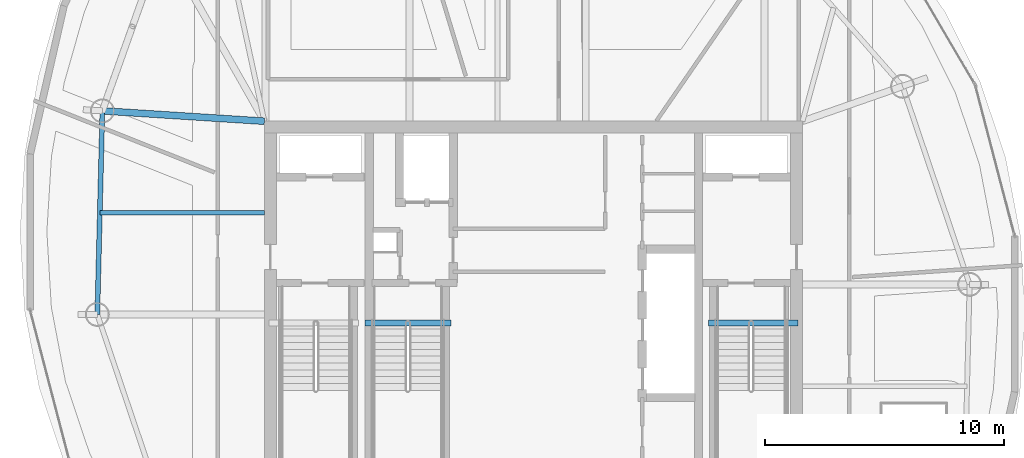
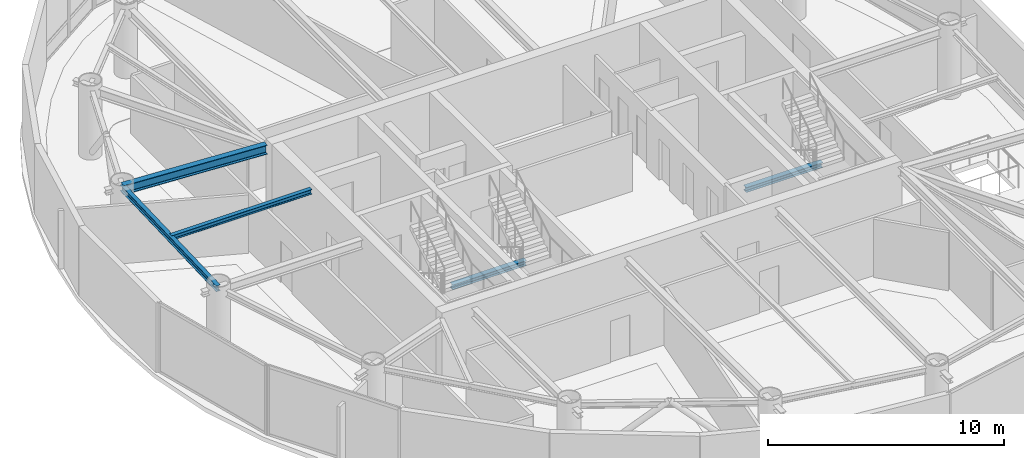
# One storey, part 6 of 20: 5 beams.
"""IFC4 building model written with IfcOpenShell, lengths in metres."""

from ifc_helpers import new_model, si_unit, direction, frame, origin, origin_2d, place, context, subcontext, project, spatial, i_section, extrude, material, material_profile, profile_set, type_object, element, save


model = new_model("IFC4")

# Units and contexts
model_context = context("Model", 3, precision=1e-05, world=origin(), true_north=direction((0.0, 1.0)))
body_context = subcontext(model_context, "Body", "Model", "MODEL_VIEW")
ifc_project = project(units=[si_unit("LENGTHUNIT", "METRE"), si_unit("AREAUNIT", "SQUARE_METRE"), si_unit("VOLUMEUNIT", "CUBIC_METRE"), si_unit("PLANEANGLEUNIT", "RADIAN"), si_unit("MASSUNIT", "GRAM", prefix="KILO")], contexts=[model_context])

# Site, building, storey
site_placement = place(None, origin())
site = spatial("IfcSite", under=ifc_project, at=site_placement, CompositionType="ELEMENT")
building_placement = place(site_placement, origin())
building = spatial("IfcBuilding", under=site, at=building_placement, Name="Bramvorn Convention Spire", CompositionType="ELEMENT")
storey_placement = place(building_placement, frame((0.0, 0.0, 303.64990234375)))
storey = spatial("IfcBuildingStorey", under=building, at=storey_placement, Name="L77", CompositionType="ELEMENT", Elevation=303.64990234375)

# Beams
ifc_material = material(Name="Steel CSA G40.21 Grade 350 (350W)", Category="steel")
ifc_material_profile_1 = material_profile(ifc_material, i_section(OverallWidth=0.201904296875, OverallDepth=0.2470703125, WebThickness=0.00732421875, FlangeThickness=0.010986328125, FilletRadius=0.011962890625, at=origin_2d()))
ifc_profile_set_1 = profile_set([ifc_material_profile_1], Name="Steel CSA G40.21 Grade 350 (350W) - W250X49")
beam_type_1 = type_object("IfcBeamType", Name="BM-W250X49", PredefinedType="JOIST", material=ifc_profile_set_1)
beam_1_placement = place(storey_placement, frame((26.75, 29.626953125, 3.4765625), z_axis=(-1.0, 0.0, 0.0), x_axis=(0.0, -1.0, 0.0)))
element("IfcBeam", 1, at=beam_1_placement, inside=storey, type_object=beam_type_1, Name="L77 composite floor joist 11", PredefinedType="JOIST", context=body_context, shape_type="SweptSolid", body=[
    extrude(i_section(OverallWidth=0.201904296875, OverallDepth=0.2470703125, WebThickness=0.00732421875, FlangeThickness=0.010986328125, FilletRadius=0.011962890625, at=origin_2d()), origin(), (0.0, 0.0, 1.0), 6.879150390625),
])
ifc_material_profile_2 = material_profile(ifc_material, i_section(OverallWidth=0.25390625, OverallDepth=0.2529296875, WebThickness=0.008544921875, FlangeThickness=0.01416015625, FilletRadius=0.011962890625, at=origin_2d()))
ifc_profile_set_2 = profile_set([ifc_material_profile_2], Name="Steel CSA G40.21 Grade 350 (350W) - W250X73")
beam_type_2 = type_object("IfcBeamType", Name="BM-W250X73", PredefinedType="BEAM", material=ifc_profile_set_2)
beam_2_placement = place(storey_placement, frame((45.31005859375, 25.010009765625, -0.12646484375), z_axis=(1.0, 0.0, 0.0), x_axis=(0.0, 1.0, 0.0)))
element("IfcBeam", 2, at=beam_2_placement, inside=storey, type_object=beam_type_2, Name="L77 ST2 stair arrival header beam", PredefinedType="BEAM", context=body_context, shape_type="SweptSolid", body=[
    extrude(i_section(OverallWidth=0.25390625, OverallDepth=0.2529296875, WebThickness=0.008544921875, FlangeThickness=0.01416015625, FilletRadius=0.011962890625, at=origin_2d()), origin(), (0.0, 0.0, 1.0), 3.739990234375),
])
beam_3_placement = place(storey_placement, frame((30.949951171875, 25.010009765625, -0.12646484375), z_axis=(1.0, 0.0, 0.0), x_axis=(0.0, 1.0, 0.0)))
element("IfcBeam", 3, at=beam_3_placement, inside=storey, type_object=beam_type_2, Name="L77 ST3 stair arrival header beam", PredefinedType="BEAM", context=body_context, shape_type="SweptSolid", body=[
    extrude(i_section(OverallWidth=0.25390625, OverallDepth=0.2529296875, WebThickness=0.008544921875, FlangeThickness=0.01416015625, FilletRadius=0.011962890625, at=origin_2d()), origin(), (0.0, 0.0, 1.0), 3.610107421875),
])
ifc_material_profile_3 = material_profile(ifc_material, i_section(OverallWidth=0.202880859375, OverallDepth=0.302978515625, WebThickness=0.007568359375, FlangeThickness=0.01318359375, FilletRadius=0.013916015625, at=origin_2d()))
ifc_profile_set_3 = profile_set([ifc_material_profile_3], Name="Steel CSA G40.21 Grade 350 (350W) - W310X60")
beam_type_3 = type_object("IfcBeamType", Name="BM-W310X60", PredefinedType="JOIST", material=ifc_profile_set_3)
beam_4_placement = place(storey_placement, frame((19.976318359375, 33.883544921875, 3.448486328125), z_axis=(-0.024770853371, -0.999693155335, 0.0), x_axis=(0.999693155335, -0.024770853371, 0.0)))
element("IfcBeam", 4, at=beam_4_placement, inside=storey, type_object=beam_type_3, Name="L77 mega-column ring beam 11", PredefinedType="JOIST", context=body_context, shape_type="SweptSolid", body=[
    extrude(i_section(OverallWidth=0.202880859375, OverallDepth=0.302978515625, WebThickness=0.007568359375, FlangeThickness=0.01318359375, FilletRadius=0.013916015625, at=origin_2d()), origin(), (0.0, 0.0, 1.0), 8.515625),
])
ifc_material_profile_4 = material_profile(ifc_material, i_section(OverallWidth=0.283935546875, OverallDepth=0.47607421875, WebThickness=0.014892578125, FlangeThickness=0.02392578125, FilletRadius=0.01806640625, at=origin_2d()))
ifc_profile_set_4 = profile_set([ifc_material_profile_4], Name="Steel CSA G40.21 Grade 350 (350W) - W460X158")
beam_type_4 = type_object("IfcBeamType", Name="BM-W460X158", PredefinedType="SPANDREL", material=ifc_profile_set_4)
beam_5_placement = place(storey_placement, frame((26.75, 33.449951171875, 3.362060546875), z_axis=(-0.997957536354, 0.063880792379, 0.0), x_axis=(-0.063880792379, -0.997957536354, 0.0)))
element("IfcBeam", 5, at=beam_5_placement, inside=storey, type_object=beam_type_4, Name="L77 radial floor girder MC11", PredefinedType="SPANDREL", context=body_context, shape_type="SweptSolid", body=[
    extrude(i_section(OverallWidth=0.283935546875, OverallDepth=0.47607421875, WebThickness=0.014892578125, FlangeThickness=0.02392578125, FilletRadius=0.01806640625, at=origin_2d()), origin(), (0.0, 0.0, 1.0), 6.78759765625),
])

save(model, "model.ifc")
